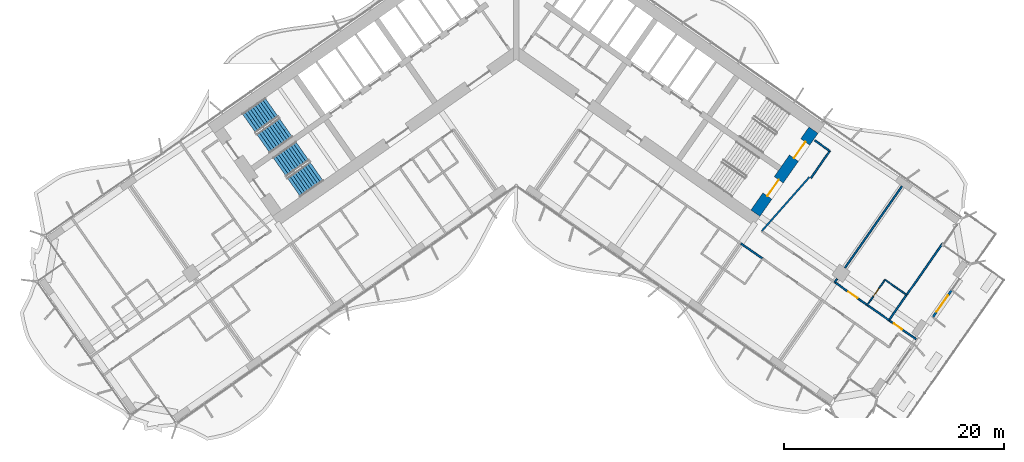
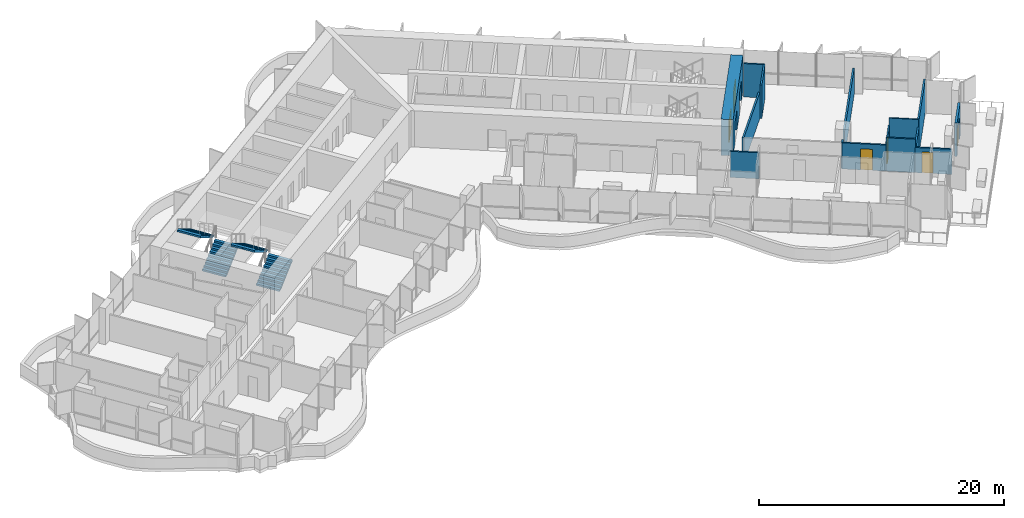
# One storey, part 17 of 25: 15 walls, 6 doors, 4 stair flights, 6 openings, 2 elements without a shape of their own.
"""IFC4 building model written with IfcOpenShell, lengths in metres."""

import ifcopenshell
import ifcopenshell.guid

model = None  # the IFC model being written
_history = None  # IfcOwnerHistory: only IFC2X3 demands one
_inside = {}  # id of a spatial element -> (the spatial element, [elements in it])
_under = {}  # id of a project, library or spatial element -> (it, [spatial elements below it])
_declared = {}  # id of a project -> (the project, [libraries it declares])
_typed = {}  # id of a type object -> (the type object, [elements of that type])
_made_of = {}  # id of a material, layer set ... -> (it, [elements and type objects made of it])


def new_model(schema):
    """Start an empty IFC model of exactly this schema.

    Asked for "IFC4X3", IfcOpenShell would pick the latest addendum, in which some entities
    have other attributes; the version numbers below select the first issue.
    IFC2X3 requires an IfcOwnerHistory on every rooted entity: one is made here for all.
    """
    global model, _history
    if schema == "IFC4X3":
        model = ifcopenshell.file(schema_version=(4, 3, 0, 0))
    else:
        model = ifcopenshell.file(schema=schema)
    _inside.clear()
    _under.clear()
    _declared.clear()
    _typed.clear()
    _made_of.clear()
    _history = None
    if model.schema == "IFC2X3":
        org = make("IfcOrganization", Name="unknown")
        user = make(
            "IfcPersonAndOrganization",
            ThePerson=make("IfcPerson", FamilyName="unknown"),
            TheOrganization=org,
        )
        app = make(
            "IfcApplication",
            ApplicationDeveloper=org,
            Version="unknown",
            ApplicationFullName="unknown",
            ApplicationIdentifier="unknown",
        )
        _history = make(
            "IfcOwnerHistory",
            OwningUser=user,
            OwningApplication=app,
            ChangeAction="ADDED",
            CreationDate=0,
        )
    return model


def make(cls, **values):
    """One entity of the class cls with the attributes given. An attribute that is None is left unset."""
    return model.create_entity(
        cls, **{name: value for name, value in values.items() if value is not None}
    )


def rooted(cls, **values):
    """An entity with a GlobalId (a new one), such as an element, a storey or a relation."""
    return make(cls, GlobalId=ifcopenshell.guid.new(), OwnerHistory=_history, **values)


def si_unit(unit_type, name, prefix=None):
    """IfcSIUnit, for example si_unit("LENGTHUNIT", "METRE", prefix="MILLI")."""
    return make("IfcSIUnit", UnitType=unit_type, Prefix=prefix, Name=name)


def assignment(units):
    """IfcUnitAssignment: the units of a project."""
    return None if units is None else make("IfcUnitAssignment", Units=units)


def point(xyz):
    """IfcCartesianPoint."""
    return None if xyz is None else make("IfcCartesianPoint", Coordinates=xyz)


def direction(xyz):
    """IfcDirection."""
    return None if xyz is None else make("IfcDirection", DirectionRatios=xyz)


def frame(location, z_axis=None, x_axis=None):
    """IfcAxis2Placement3D, a coordinate frame: its origin and axes. An axis left out is left unset."""
    return make(
        "IfcAxis2Placement3D",
        Location=point(location),
        Axis=direction(z_axis),
        RefDirection=direction(x_axis),
    )


def frame_2d(location, x_axis=None):
    """IfcAxis2Placement2D, a coordinate frame in the plane: its origin and x axis."""
    return make(
        "IfcAxis2Placement2D", Location=point(location), RefDirection=direction(x_axis)
    )


def origin():
    """The frame at (0, 0, 0) with its axes left unset."""
    return frame((0.0, 0.0, 0.0))


def place(relative_to, where):
    """IfcLocalPlacement: puts the frame where relative to a parent placement (None: the world)."""
    return make(
        "IfcLocalPlacement", PlacementRelTo=relative_to, RelativePlacement=where
    )


def context(
    kind, dimensions, precision=None, world=None, true_north=None, identifier=None
):
    """IfcGeometricRepresentationContext, for example the 3D "Model" context."""
    return make(
        "IfcGeometricRepresentationContext",
        ContextIdentifier=identifier,
        ContextType=kind,
        CoordinateSpaceDimension=dimensions,
        Precision=precision,
        WorldCoordinateSystem=world,
        TrueNorth=true_north,
    )


def subcontext(parent, identifier, kind, view, scale=None):
    """IfcGeometricRepresentationSubContext, for example "Body" below "Model"."""
    return make(
        "IfcGeometricRepresentationSubContext",
        ContextIdentifier=identifier,
        ContextType=kind,
        ParentContext=parent,
        TargetScale=scale,
        TargetView=view,
    )


def project(units=None, contexts=None):
    """IfcProject with its units and contexts."""
    return rooted(
        "IfcProject",
        Name="project",
        RepresentationContexts=contexts,
        UnitsInContext=assignment(units),
    )


def spatial(cls, under=None, at=None, **own):
    """A site, building, storey or space (cls), placed at a placement, below another one or the project."""
    s = rooted(cls, ObjectPlacement=at, **own)
    if under is not None:
        _under.setdefault(under.id(), (under, []))[1].append(s)
    return s


def polyline(points):
    """IfcPolyline through the points."""
    return make("IfcPolyline", Points=[point(p) for p in points])


def profile(cls, at=None, kind="AREA", **sizes):
    """A parametric profile (cls). Its sizes go by their IFC names, for example OverallWidth=200.0."""
    return make(cls, ProfileType=kind, Position=at, **sizes)


def rectangle(**sizes):
    """IfcRectangleProfileDef."""
    return profile("IfcRectangleProfileDef", **sizes)


def outline(outer, holes=None, kind="AREA"):
    """IfcArbitraryClosedProfileDef: a profile drawn as a closed curve; with holes, ...WithVoids."""
    if holes is None:
        return make("IfcArbitraryClosedProfileDef", ProfileType=kind, OuterCurve=outer)
    return make(
        "IfcArbitraryProfileDefWithVoids",
        ProfileType=kind,
        OuterCurve=outer,
        InnerCurves=holes,
    )


def extrude(swept, where, along, depth):
    """IfcExtrudedAreaSolid: the profile swept, set in the frame where, extruded along a direction by depth."""
    return make(
        "IfcExtrudedAreaSolid",
        SweptArea=swept,
        Position=where,
        ExtrudedDirection=direction(along),
        Depth=depth,
    )


def shape(context_of_items, identifier, shape_type, items):
    """IfcShapeRepresentation: the items that make up one representation, for example the "Body"."""
    return make(
        "IfcShapeRepresentation",
        ContextOfItems=context_of_items,
        RepresentationIdentifier=identifier,
        RepresentationType=shape_type,
        Items=items,
    )


def material(Name=None, Category=None):
    """IfcMaterial."""
    return make("IfcMaterial", Name=Name, Category=Category)


def layer(
    of_material, thickness, ventilated=None, Name=None, Category=None, Priority=None
):
    """IfcMaterialLayer: one layer of a wall or slab, of a material (None: an air gap)."""
    return make(
        "IfcMaterialLayer",
        Material=of_material,
        LayerThickness=thickness,
        IsVentilated=ventilated,
        Name=Name,
        Category=Category,
        Priority=Priority,
    )


def layer_set(layers, Name=None):
    """IfcMaterialLayerSet."""
    return make("IfcMaterialLayerSet", MaterialLayers=layers, LayerSetName=Name)


def made_of(thing, what):
    """Note that an element or type object is made of a material, layer set ...; save() writes the relation."""
    if what is not None:
        _made_of.setdefault(what.id(), (what, []))[1].append(thing)
    return thing


def type_object(cls, material=None, **own):
    """A type object (cls), such as IfcWallType, which elements share."""
    return made_of(rooted(cls, **own), material)


def element(
    cls,
    number,
    at=None,
    inside=None,
    cuts=None,
    type_object=None,
    material=None,
    context=None,
    identifier="Body",
    shape_type=None,
    held_by="IfcProductDefinitionShape",
    body=None,
    shapes=None,
    **own,
):
    """One element of the class cls, such as IfcWall. Its Tag is "e" and its number.

    at: its placement. inside: the storey or other place that contains it. cuts: it is an
    opening in that element (IfcRelVoidsElement). A single representation is given by context,
    identifier, shape_type and body (its items); several are given by shapes. held_by: the class
    of the entity that holds the representations. save() writes the other relations.
    """
    e = rooted(cls, Tag="e%d" % number, ObjectPlacement=at, **own)
    if body is not None:
        shapes = [shape(context, identifier, shape_type, body)]
    if shapes is not None:
        e.Representation = make(held_by, Representations=shapes)
    if inside is not None:
        _inside.setdefault(inside.id(), (inside, []))[1].append(e)
    if cuts is not None:
        rooted(
            "IfcRelVoidsElement", RelatingBuildingElement=cuts, RelatedOpeningElement=e
        )
    if type_object is not None:
        _typed.setdefault(type_object.id(), (type_object, []))[1].append(e)
    return made_of(e, material)


def fill(opening, filler):
    """IfcRelFillsElement: the door or window that sits in an opening."""
    return rooted(
        "IfcRelFillsElement",
        RelatingOpeningElement=opening,
        RelatedBuildingElement=filler,
    )


def aggregate(whole, parts):
    """IfcRelAggregates: a whole, such as a stair, and the parts it consists of."""
    return rooted("IfcRelAggregates", RelatingObject=whole, RelatedObjects=parts)


def save(model, path):
    """Write the relations noted so far, then the file.

    IfcRelAggregates (storeys below a building ...), IfcRelContainedInSpatialStructure (elements
    in a storey), IfcRelDefinesByType, IfcRelAssociatesMaterial and IfcRelDeclares: one each for
    every whole, place, type object, material and project.
    """
    for whole, parts in _under.values():
        aggregate(whole, parts)
    for where, things in _inside.values():
        rooted(
            "IfcRelContainedInSpatialStructure",
            RelatedElements=things,
            RelatingStructure=where,
        )
    for kind, things in _typed.values():
        rooted("IfcRelDefinesByType", RelatedObjects=things, RelatingType=kind)
    for what, things in _made_of.values():
        rooted("IfcRelAssociatesMaterial", RelatedObjects=things, RelatingMaterial=what)
    for by, libraries in _declared.values():
        rooted("IfcRelDeclares", RelatingContext=by, RelatedDefinitions=libraries)
    model.write(path)


model = new_model("IFC4")

# Units and contexts
model_context = context("Model", 3, precision=1e-05, world=origin(), true_north=direction((0.0, 1.0)))
body_context = subcontext(model_context, "Body", "Model", "MODEL_VIEW")
ifc_project = project(units=[si_unit("LENGTHUNIT", "METRE"), si_unit("AREAUNIT", "SQUARE_METRE"), si_unit("VOLUMEUNIT", "CUBIC_METRE"), si_unit("PLANEANGLEUNIT", "RADIAN"), si_unit("MASSUNIT", "GRAM", prefix="KILO")], contexts=[model_context])

# Site, building, storey
site_placement = place(None, origin())
site = spatial("IfcSite", under=ifc_project, at=site_placement, CompositionType="ELEMENT")
building_placement = place(site_placement, origin())
building = spatial("IfcBuilding", under=site, at=building_placement, Name="Tel Ilan Convention Tower", CompositionType="ELEMENT")
storey_placement = place(building_placement, frame((0.0, 0.0, 76.10009765625)))
storey = spatial("IfcBuildingStorey", under=building, at=storey_placement, Name="L14", CompositionType="ELEMENT", Elevation=76.10009765625)

# Wall, openings, doors
ifc_material_1 = material(Name="Concrete C60/75", Category="concrete")
ifc_layer_1 = layer(ifc_material_1, 1.0)
ifc_layer_set_1 = layer_set([ifc_layer_1], Name="Core Shear Wall 1000 mm C60/75")
wall_type_1 = type_object("IfcWallType", Name="Core Shear Wall 1000 mm C60/75", PredefinedType="SHEAR", material=ifc_layer_set_1)
wall_1_placement = place(storey_placement, frame((21.70751953125, -15.19970703125, 0.0), z_axis=(0.0, 0.0, 1.0), x_axis=(0.573576324356, 0.819152122709, 0.0)))
wall_1 = element("IfcWall", 1, at=wall_1_placement, inside=storey, type_object=wall_type_1, Name="L14 core wall E-end", PredefinedType="SHEAR", context=body_context, shape_type="SweptSolid", body=[
    extrude(outline(polyline([(9.199951171875, 0.5), (0.0, 0.5), (0.0, -0.5), (9.199951171875, -0.5), (9.199951171875, 0.5)])), origin(), (0.0, 0.0, 1.0), 3.599853515625),
])
opening_1_placement = place(wall_1_placement, frame((6.10009765625, 0.0, 0.0)))
opening_1 = element("IfcOpeningElement", 2, at=opening_1_placement, cuts=wall_1, Name="Opening SD1403", PredefinedType="OPENING", context=body_context, shape_type="SweptSolid", body=[
    extrude(rectangle(XDim=1.800048828125, YDim=2.10009765625, at=frame_2d((0.89990234375, 1.050048828125))), frame((0.0, 0.510009765625, 0.0), z_axis=(0.0, -1.0, 0.0), x_axis=(1.0, 0.0, 0.0)), (0.0, 0.0, 1.0), 1.02001953125),
])
opening_2_placement = place(wall_1_placement, frame((1.89990234375, 0.0, 0.0)))
opening_2 = element("IfcOpeningElement", 3, at=opening_2_placement, cuts=wall_1, Name="Opening SD1404", PredefinedType="OPENING", context=body_context, shape_type="SweptSolid", body=[
    extrude(rectangle(XDim=1.800048828125, YDim=2.10009765625, at=frame_2d((0.89990234375, 1.050048828125))), frame((0.0, 0.510009765625, 0.0), z_axis=(0.0, -1.0, 0.0), x_axis=(1.0, 0.0, 0.0)), (0.0, 0.0, 1.0), 1.02001953125),
])
ifc_material_2 = material(Name="Galvanised Steel Door Leaf", Category="steel")
door_type_1 = type_object("IfcDoorType", Name="Stair Fire Door 1800 x 2100 FD60S", OperationType="NOTDEFINED", PredefinedType="DOOR", material=ifc_material_2)
door_1_placement = place(opening_1_placement, origin())
door_1 = element("IfcDoor", 4, at=door_1_placement, inside=storey, type_object=door_type_1, Name="Stair S3 door", OperationType="DOUBLE_DOOR_SINGLE_SWING", OverallHeight=2.10009765625, OverallWidth=1.800048828125, PredefinedType="DOOR", context=body_context, shape_type="SweptSolid", body=[
    extrude(rectangle(XDim=1.800048828125, YDim=2.10009765625, at=frame_2d((0.89990234375, 1.050048828125))), frame((0.0, 0.02490234375, 0.0), z_axis=(0.0, -1.0, 0.0), x_axis=(1.0, 0.0, 0.0)), (0.0, 0.0, 1.0), 0.050048828125),
])
fill(opening_1, door_1)
door_2_placement = place(opening_2_placement, origin())
door_2 = element("IfcDoor", 5, at=door_2_placement, inside=storey, type_object=door_type_1, Name="Stair S4 door", OperationType="DOUBLE_DOOR_SINGLE_SWING", OverallHeight=2.10009765625, OverallWidth=1.800048828125, PredefinedType="DOOR", context=body_context, shape_type="SweptSolid", body=[
    extrude(rectangle(XDim=1.800048828125, YDim=2.10009765625, at=frame_2d((0.89990234375, 1.050048828125))), frame((0.0, 0.02490234375, 0.0), z_axis=(0.0, -1.0, 0.0), x_axis=(1.0, 0.0, 0.0)), (0.0, 0.0, 1.0), 0.050048828125),
])
fill(opening_2, door_2)

# Wall, opening, door
ifc_material_3 = material(Name="Plasterboard on Steel Studs", Category="steel")
ifc_layer_2 = layer(ifc_material_3, 0.14990234375)
ifc_layer_set_2 = layer_set([ifc_layer_2], Name="Fire-rated Partition 150 EI 60")
wall_type_2 = type_object("IfcWallType", Name="Fire-rated Partition 150 EI 60", PredefinedType="PARTITIONING", material=ifc_layer_set_2)
wall_2_placement = place(storey_placement, frame((28.914306640625, -21.466796875, 0.0), z_axis=(0.0, 0.0, 1.0), x_axis=(0.819145961204, -0.573585123798, 0.0)))
wall_2 = element("IfcWall", 6, at=wall_2_placement, inside=storey, type_object=wall_type_2, Name="Partition 002", PredefinedType="PARTITIONING", context=body_context, shape_type="SweptSolid", body=[
    extrude(rectangle(XDim=3.60302734375, YDim=0.14990234375, at=frame_2d((1.801513671875, 0.0))), origin(), (0.0, 0.0, 1.0), 2.599853515625),
])
opening_3_placement = place(wall_2_placement, frame((1.501953125, 0.0, 0.0)))
opening_3 = element("IfcOpeningElement", 7, at=opening_3_placement, cuts=wall_2, Name="Opening L14-034", PredefinedType="OPENING", context=body_context, shape_type="SweptSolid", body=[
    extrude(rectangle(XDim=1.0, YDim=2.10009765625, at=frame_2d((0.5, 1.050048828125))), frame((0.0, 0.0849609375, 0.0), z_axis=(0.0, -1.0, 0.0), x_axis=(1.0, 0.0, 0.0)), (0.0, 0.0, 1.0), 0.169921875),
])
ifc_material_4 = material(Name="Timber Door Leaf in Steel Frame", Category="steel")
door_type_2 = type_object("IfcDoorType", Name="Hotel Room Entrance Fire Door 1000x2100", OperationType="NOTDEFINED", PredefinedType="DOOR", material=ifc_material_4)
door_3_placement = place(opening_3_placement, origin())
door_3 = element("IfcDoor", 8, at=door_3_placement, inside=storey, type_object=door_type_2, Name="Door L14-034", OperationType="SINGLE_SWING_RIGHT", OverallHeight=2.10009765625, OverallWidth=1.0, PredefinedType="DOOR", context=body_context, shape_type="SweptSolid", body=[
    extrude(rectangle(XDim=1.0, YDim=2.10009765625, at=frame_2d((0.5, 1.050048828125))), frame((0.0, 0.02490234375, 0.0), z_axis=(0.0, -1.0, 0.0), x_axis=(1.0, 0.0, 0.0)), (0.0, 0.0, 1.0), 0.050048828125),
])
fill(opening_3, door_3)

# Wall
wall_3_placement = place(storey_placement, frame((31.86328125, -23.531494140625, 0.0), z_axis=(0.0, 0.0, 1.0), x_axis=(0.819146032251, -0.573585022335, 0.0)))
element("IfcWall", 9, at=wall_3_placement, inside=storey, type_object=wall_type_2, Name="Partition 003", PredefinedType="PARTITIONING", context=body_context, shape_type="SweptSolid", body=[
    extrude(rectangle(XDim=2.404052734375, YDim=0.14990234375, at=frame_2d((1.2021484375, 0.0))), origin(), (0.0, 0.0, 1.0), 3.31982421875),
])

# Wall, opening, door
wall_4_placement = place(storey_placement, frame((33.8291015625, -24.908203125, 0.0), z_axis=(0.0, 0.0, 1.0), x_axis=(0.81915932427, -0.57356603932, 0.0)))
wall_4 = element("IfcWall", 10, at=wall_4_placement, inside=storey, type_object=wall_type_2, Name="Partition 004", PredefinedType="PARTITIONING", context=body_context, shape_type="SweptSolid", body=[
    extrude(rectangle(XDim=3.002197265625, YDim=0.14990234375, at=frame_2d((1.5009765625, 0.0))), origin(), (0.0, 0.0, 1.0), 2.5),
])
opening_4_placement = place(wall_4_placement, frame((0.551025390625, 0.0, 0.0)))
opening_4 = element("IfcOpeningElement", 11, at=opening_4_placement, cuts=wall_4, Name="Opening L14-035", PredefinedType="OPENING", context=body_context, shape_type="SweptSolid", body=[
    extrude(rectangle(XDim=0.89990234375, YDim=2.10009765625, at=frame_2d((0.449951171875, 1.050048828125))), frame((0.0, 0.0849609375, 0.0), z_axis=(0.0, -1.0, 0.0), x_axis=(1.0, 0.0, 0.0)), (0.0, 0.0, 1.0), 0.169921875),
])
ifc_material_5 = material(Name="Timber Door Leaf in Steel Frame", Category="steel")
door_type_3 = type_object("IfcDoorType", Name="Room Fire Door 900x2100", OperationType="NOTDEFINED", PredefinedType="DOOR", material=ifc_material_5)
door_4_placement = place(opening_4_placement, origin())
door_4 = element("IfcDoor", 12, at=door_4_placement, inside=storey, type_object=door_type_3, Name="Door L14-035", OperationType="SINGLE_SWING_LEFT", OverallHeight=2.10009765625, OverallWidth=0.89990234375, PredefinedType="DOOR", context=body_context, shape_type="SweptSolid", body=[
    extrude(rectangle(XDim=0.89990234375, YDim=2.10009765625, at=frame_2d((0.449951171875, 1.050048828125))), frame((0.0, 0.02490234375, 0.0), z_axis=(0.0, -1.0, 0.0), x_axis=(1.0, 0.0, 0.0)), (0.0, 0.0, 1.0), 0.050048828125),
])
fill(opening_4, door_4)

# Walls
wall_5_placement = place(storey_placement, frame((22.364013671875, -19.32177734375, 0.0), z_axis=(0.0, 0.0, 1.0), x_axis=(-0.819146032251, 0.573585022335, 0.0)))
element("IfcWall", 13, at=wall_5_placement, inside=storey, type_object=wall_type_2, Name="Partition 012", PredefinedType="PARTITIONING", context=body_context, shape_type="SweptSolid", body=[
    extrude(rectangle(XDim=2.404052734375, YDim=0.14990234375, at=frame_2d((1.2021484375, 0.0))), origin(), (0.0, 0.0, 1.0), 2.599853515625),
])
wall_6_placement = place(storey_placement, frame((35.012939453125, -12.76025390625, 0.0), z_axis=(0.0, 0.0, 1.0), x_axis=(-0.573558725113, -0.819164445546, 0.0)))
element("IfcWall", 14, at=wall_6_placement, inside=storey, type_object=wall_type_2, Name="Partition 038", PredefinedType="PARTITIONING", context=body_context, shape_type="SweptSolid", body=[
    extrude(rectangle(XDim=9.010009765625, YDim=0.14990234375, at=frame_2d((4.5048828125, 0.0))), origin(), (0.0, 0.0, 1.0), 2.599853515625),
])
wall_7_placement = place(storey_placement, frame((29.1337890625, -21.156494140625, 0.0), z_axis=(0.0, 0.0, 1.0), x_axis=(-0.572944929411, -0.819593867633, 0.0)))
element("IfcWall", 15, at=wall_7_placement, inside=storey, type_object=wall_type_2, Name="Partition 039", PredefinedType="PARTITIONING", context=body_context, shape_type="SweptSolid", body=[
    extrude(rectangle(XDim=0.380126953125, YDim=0.14990234375, at=frame_2d((0.18994140625, 0.0))), origin(), (0.0, 0.0, 1.0), 2.599853515625),
])
wall_8_placement = place(storey_placement, frame((22.285400390625, -16.8251953125, 0.0), z_axis=(0.0, 0.0, 1.0), x_axis=(0.661551268245, 0.749899939647, 0.0)))
element("IfcWall", 16, at=wall_8_placement, inside=storey, type_object=wall_type_2, Name="Partition 040", PredefinedType="PARTITIONING", context=body_context, shape_type="SweptSolid", body=[
    extrude(rectangle(XDim=6.541015625, YDim=0.14990234375, at=frame_2d((3.2705078125, 0.0))), origin(), (0.0, 0.0, 1.0), 2.599853515625),
])
wall_9_placement = place(storey_placement, frame((26.74609375, -12.013671875, 0.0), z_axis=(0.0, 0.0, 1.0), x_axis=(0.573560650686, 0.819163097304, 0.0)))
element("IfcWall", 17, at=wall_9_placement, inside=storey, type_object=wall_type_2, Name="Partition 041", PredefinedType="PARTITIONING", context=body_context, shape_type="SweptSolid", body=[
    extrude(rectangle(XDim=3.0, YDim=0.14990234375, at=frame_2d((1.5, 0.0))), origin(), (0.0, 0.0, 1.0), 3.31982421875),
])
wall_10_placement = place(storey_placement, frame((28.466796875, -9.55615234375, 0.0), z_axis=(0.0, 0.0, 1.0), x_axis=(-0.819109000826, 0.573637903879, 0.0)))
element("IfcWall", 18, at=wall_10_placement, inside=storey, type_object=wall_type_2, Name="Partition 042", PredefinedType="PARTITIONING", context=body_context, shape_type="SweptSolid", body=[
    extrude(rectangle(XDim=1.679931640625, YDim=0.14990234375, at=frame_2d((0.83984375, 0.0))), origin(), (0.0, 0.0, 1.0), 3.31982421875),
])
wall_11_placement = place(storey_placement, frame((38.70751953125, -17.94482421875, 0.0), z_axis=(0.0, 0.0, 1.0), x_axis=(-0.573568678046, -0.819157476658, 0.0)))
element("IfcWall", 19, at=wall_11_placement, inside=storey, type_object=wall_type_2, Name="Partition 045", PredefinedType="PARTITIONING", context=body_context, shape_type="SweptSolid", body=[
    extrude(rectangle(XDim=5.701171875, YDim=0.14990234375, at=frame_2d((2.8505859375, 0.0))), origin(), (0.0, 0.0, 1.0), 3.31982421875),
])
wall_12_placement = place(storey_placement, frame((35.436767578125, -22.61572265625, 0.0), z_axis=(0.0, 0.0, 1.0), x_axis=(-0.573550118428, -0.819170471667, 0.0)))
element("IfcWall", 20, at=wall_12_placement, inside=storey, type_object=wall_type_2, Name="Partition 046", PredefinedType="PARTITIONING", context=body_context, shape_type="SweptSolid", body=[
    extrude(rectangle(XDim=2.800048828125, YDim=0.14990234375, at=frame_2d((1.39990234375, 0.0))), origin(), (0.0, 0.0, 1.0), 2.599853515625),
])
ifc_material_6 = material(Name="Plasterboard on Steel Studs", Category="steel")
ifc_layer_3 = layer(ifc_material_6, 0.1201171875)
ifc_layer_set_3 = layer_set([ifc_layer_3], Name="Moisture-resistant Partition 120")
wall_type_3 = type_object("IfcWallType", Name="Moisture-resistant Partition 120", PredefinedType="PARTITIONING", material=ifc_layer_set_3)
wall_13_placement = place(storey_placement, frame((35.4375, -22.614990234375, 0.0), z_axis=(0.0, 0.0, 1.0), x_axis=(-0.819141114317, 0.573592045652, 0.0)))
element("IfcWall", 21, at=wall_13_placement, inside=storey, type_object=wall_type_3, Name="Partition 043", PredefinedType="PARTITIONING", context=body_context, shape_type="SweptSolid", body=[
    extrude(rectangle(XDim=2.400146484375, YDim=0.1201171875, at=frame_2d((1.2001953125, 0.0))), origin(), (0.0, 0.0, 1.0), 3.31982421875),
])

# Wall, opening, door
wall_14_placement = place(storey_placement, frame((33.469970703125, -21.238525390625, 0.0), z_axis=(0.0, 0.0, 1.0), x_axis=(-0.573550118428, -0.819170471667, 0.0)))
wall_14 = element("IfcWall", 22, at=wall_14_placement, inside=storey, type_object=wall_type_3, Name="Partition 044", PredefinedType="PARTITIONING", context=body_context, shape_type="SweptSolid", body=[
    extrude(rectangle(XDim=2.800048828125, YDim=0.1201171875, at=frame_2d((1.39990234375, 0.0))), origin(), (0.0, 0.0, 1.0), 2.599853515625),
])
opening_5_placement = place(wall_14_placement, frame((0.97509765625, 0.0, 0.0)))
opening_5 = element("IfcOpeningElement", 23, at=opening_5_placement, cuts=wall_14, Name="Opening L14-033", PredefinedType="OPENING", context=body_context, shape_type="SweptSolid", body=[
    extrude(rectangle(XDim=0.85009765625, YDim=2.050048828125, at=frame_2d((0.425048828125, 1.02490234375))), frame((0.0, 0.070068359375, 0.0), z_axis=(0.0, -1.0, 0.0), x_axis=(1.0, 0.0, 0.0)), (0.0, 0.0, 1.0), 0.14013671875),
])
ifc_material_7 = material(Name="Timber Door Leaf in Steel Frame", Category="steel")
door_type_4 = type_object("IfcDoorType", Name="Bathroom Timber Door 850x2050", OperationType="NOTDEFINED", PredefinedType="DOOR", material=ifc_material_7)
door_5_placement = place(opening_5_placement, origin())
door_5 = element("IfcDoor", 24, at=door_5_placement, inside=storey, type_object=door_type_4, Name="Door L14-033", OperationType="SINGLE_SWING_LEFT", OverallHeight=2.050048828125, OverallWidth=0.85009765625, PredefinedType="DOOR", context=body_context, shape_type="SweptSolid", body=[
    extrude(rectangle(XDim=0.85009765625, YDim=2.050048828125, at=frame_2d((0.425048828125, 1.02490234375))), frame((0.0, 0.02490234375, 0.0), z_axis=(0.0, -1.0, 0.0), x_axis=(1.0, 0.0, 0.0)), (0.0, 0.0, 1.0), 0.050048828125),
])
fill(opening_5, door_5)

ifc_material_8 = material(Name="Aluminium composite cladding, bronze anodised on steel studs", Category="steel")
ifc_layer_4 = layer(ifc_material_8, 0.199951171875)
ifc_layer_set_4 = layer_set([ifc_layer_4], Name="TERRACE DOOR BAY WALL 200")
wall_type_4 = type_object("IfcWallType", Name="TERRACE DOOR BAY WALL 200", PredefinedType="SOLIDWALL", material=ifc_layer_set_4)
wall_15_placement = place(storey_placement, frame((37.8212890625, -24.614990234375, 0.0), z_axis=(0.0, 0.0, 1.0), x_axis=(0.573584953252, 0.819146080625, 0.0)))
wall_15 = element("IfcWall", 25, at=wall_15_placement, inside=storey, type_object=wall_type_4, Name="Terrace door bay", PredefinedType="SOLIDWALL", context=body_context, shape_type="SweptSolid", body=[
    extrude(rectangle(XDim=2.93994140625, YDim=0.199951171875, at=frame_2d((1.469970703125, 0.0))), origin(), (0.0, 0.0, 1.0), 3.31982421875),
])
opening_6_placement = place(wall_15_placement, frame((0.570068359375, 0.0, 0.0)))
opening_6 = element("IfcOpeningElement", 26, at=opening_6_placement, cuts=wall_15, Name="Opening T14.02", PredefinedType="OPENING", context=body_context, shape_type="SweptSolid", body=[
    extrude(rectangle(XDim=1.800048828125, YDim=2.39990234375, at=frame_2d((0.89990234375, 1.199951171875))), frame((0.0, 0.10986328125, 0.0), z_axis=(0.0, -1.0, 0.0), x_axis=(1.0, 0.0, 0.0)), (0.0, 0.0, 1.0), 0.219970703125),
])
ifc_material_9 = material(Name="Aluminium framed glazed door, bronze anodised", Category="aluminium")
door_type_5 = type_object("IfcDoorType", Name="TERRACE DOUBLE DOOR 1800x2400", OperationType="NOTDEFINED", PredefinedType="DOOR", material=ifc_material_9)
door_6_placement = place(opening_6_placement, origin())
door_6 = element("IfcDoor", 27, at=door_6_placement, inside=storey, type_object=door_type_5, Name="Terrace door", OperationType="DOUBLE_DOOR_DOUBLE_SWING", OverallHeight=2.39990234375, OverallWidth=1.800048828125, PredefinedType="DOOR", context=body_context, shape_type="SweptSolid", body=[
    extrude(rectangle(XDim=1.800048828125, YDim=2.39990234375, at=frame_2d((0.89990234375, 1.199951171875))), frame((0.0, 0.02490234375, 0.0), z_axis=(0.0, -1.0, 0.0), x_axis=(1.0, 0.0, 0.0)), (0.0, 0.0, 1.0), 0.050048828125),
])
fill(opening_6, door_6)

# Stair, stair flights
ifc_material_10 = material(Name="Concrete C40/50", Category="concrete")
stair_type = type_object("IfcStairType", Name="Pressurised Exit Stair 20 risers 180 mm", PredefinedType="HALF_TURN_STAIR", material=ifc_material_10)
stair_1_placement = place(storey_placement, origin())
stair_1 = element("IfcStair", 28, at=stair_1_placement, inside=storey, type_object=stair_type, Name="L14 Pressurised Stair S1", PredefinedType="HALF_TURN_STAIR")
ifc_material_11 = material(Name="Precast Concrete C40/50", Category="concrete")
stair_flight_type = type_object("IfcStairFlightType", Name="Concrete Stair Flight 2100 mm 20 risers 180 mm", PredefinedType="STRAIGHT", material=ifc_material_11)
stair_flight_1_placement = place(storey_placement, frame((-22.9619140625, -8.87548828125, 0.0), z_axis=(0.0, 0.0, 1.0), x_axis=(0.819152044289, 0.573576436351, 0.0)))
stair_flight_1 = element("IfcStairFlight", 29, at=stair_flight_1_placement, type_object=stair_flight_type, Name="S1 flight 1", NumberOfRisers=10, NumberOfTreads=9, PredefinedType="STRAIGHT", RiserHeight=0.18, TreadLength=0.28, context=body_context, shape_type="SweptSolid", body=[
    extrude(outline(polyline([(0.0, 0.0), (0.0, 0.179931640625), (0.280029296875, 0.179931640625), (0.280029296875, 0.360107421875), (0.56005859375, 0.360107421875), (0.56005859375, 0.5400390625), (0.840087890625, 0.5400390625), (0.840087890625, 0.719970703125), (1.1201171875, 0.719970703125), (1.1201171875, 0.89990234375), (1.39990234375, 0.89990234375), (1.39990234375, 1.080078125), (1.679931640625, 1.080078125), (1.679931640625, 1.260009765625), (1.9599609375, 1.260009765625), (1.9599609375, 1.43994140625), (2.239990234375, 1.43994140625), (2.239990234375, 1.6201171875), (2.52001953125, 1.6201171875), (2.52001953125, 1.800048828125), (2.52001953125, 1.44189453125), (0.277099609375, 0.0), (0.0, 0.0)])), frame((0.0, -0.100341796875, 0.0), z_axis=(0.0, -1.0, 0.0), x_axis=(1.0, 0.0, 0.0)), (0.0, 0.0, 1.0), 0.94970703125),
    extrude(outline(polyline([(0.0, 0.0), (0.0, 0.179931640625), (0.280029296875, 0.179931640625), (0.280029296875, 0.360107421875), (0.56005859375, 0.360107421875), (0.56005859375, 0.5400390625), (0.840087890625, 0.5400390625), (0.840087890625, 0.719970703125), (1.1201171875, 0.719970703125), (1.1201171875, 0.89990234375), (1.39990234375, 0.89990234375), (1.39990234375, 1.080078125), (1.679931640625, 1.080078125), (1.679931640625, 1.260009765625), (1.9599609375, 1.260009765625), (1.9599609375, 1.43994140625), (2.239990234375, 1.43994140625), (2.239990234375, 1.6201171875), (2.52001953125, 1.6201171875), (2.52001953125, 1.800048828125), (2.52001953125, 1.44189453125), (0.277099609375, 0.0), (0.0, 0.0)])), frame((0.0, -0.000244140625, 0.0), z_axis=(0.0, -1.0, 0.0), x_axis=(1.0, 0.0, 0.0)), (0.0, 0.0, 1.0), 0.099609375),
    extrude(outline(polyline([(0.0, 0.0), (0.0, 0.179931640625), (0.280029296875, 0.179931640625), (0.280029296875, 0.360107421875), (0.56005859375, 0.360107421875), (0.56005859375, 0.5400390625), (0.840087890625, 0.5400390625), (0.840087890625, 0.719970703125), (1.1201171875, 0.719970703125), (1.1201171875, 0.89990234375), (1.39990234375, 0.89990234375), (1.39990234375, 1.080078125), (1.679931640625, 1.080078125), (1.679931640625, 1.260009765625), (1.9599609375, 1.260009765625), (1.9599609375, 1.43994140625), (2.239990234375, 1.43994140625), (2.239990234375, 1.6201171875), (2.52001953125, 1.6201171875), (2.52001953125, 1.800048828125), (2.52001953125, 1.44189453125), (0.277099609375, 0.0), (0.0, 0.0)])), frame((0.0, 0.099853515625, 0.0), z_axis=(0.0, -1.0, 0.0), x_axis=(1.0, 0.0, 0.0)), (0.0, 0.0, 1.0), 0.099609375),
    extrude(outline(polyline([(0.0, 0.0), (0.0, 0.179931640625), (0.280029296875, 0.179931640625), (0.280029296875, 0.360107421875), (0.56005859375, 0.360107421875), (0.56005859375, 0.5400390625), (0.840087890625, 0.5400390625), (0.840087890625, 0.719970703125), (1.1201171875, 0.719970703125), (1.1201171875, 0.89990234375), (1.39990234375, 0.89990234375), (1.39990234375, 1.080078125), (1.679931640625, 1.080078125), (1.679931640625, 1.260009765625), (1.9599609375, 1.260009765625), (1.9599609375, 1.43994140625), (2.239990234375, 1.43994140625), (2.239990234375, 1.6201171875), (2.52001953125, 1.6201171875), (2.52001953125, 1.800048828125), (2.52001953125, 1.44189453125), (0.277099609375, 0.0), (0.0, 0.0)])), frame((0.0, 1.050048828125, 0.0), z_axis=(0.0, -1.0, 0.0), x_axis=(1.0, 0.0, 0.0)), (0.0, 0.0, 1.0), 0.94970703125),
])
stair_flight_2_placement = place(storey_placement, frame((-22.188232421875, -5.5869140625, 1.7998046875), z_axis=(0.0, 0.0, 1.0), x_axis=(-0.819152044289, -0.573576436351, 0.0)))
stair_flight_2 = element("IfcStairFlight", 30, at=stair_flight_2_placement, type_object=stair_flight_type, Name="S1 flight 2", NumberOfRisers=10, NumberOfTreads=9, PredefinedType="STRAIGHT", RiserHeight=0.18, TreadLength=0.28, context=body_context, shape_type="SweptSolid", body=[
    extrude(outline(polyline([(0.0, 0.0), (0.0, 0.179931640625), (0.280029296875, 0.179931640625), (0.280029296875, 0.360107421875), (0.56005859375, 0.360107421875), (0.56005859375, 0.5400390625), (0.840087890625, 0.5400390625), (0.840087890625, 0.719970703125), (1.1201171875, 0.719970703125), (1.1201171875, 0.89990234375), (1.39990234375, 0.89990234375), (1.39990234375, 1.080078125), (1.679931640625, 1.080078125), (1.679931640625, 1.260009765625), (1.9599609375, 1.260009765625), (1.9599609375, 1.43994140625), (2.239990234375, 1.43994140625), (2.239990234375, 1.6201171875), (2.52001953125, 1.6201171875), (2.52001953125, 1.800048828125), (2.52001953125, 1.44189453125), (0.277099609375, 0.0), (0.0, 0.0)])), frame((0.0, -0.100341796875, 0.0), z_axis=(0.0, -1.0, 0.0), x_axis=(1.0, 0.0, 0.0)), (0.0, 0.0, 1.0), 0.94970703125),
    extrude(outline(polyline([(0.0, 0.0), (0.0, 0.179931640625), (0.280029296875, 0.179931640625), (0.280029296875, 0.360107421875), (0.56005859375, 0.360107421875), (0.56005859375, 0.5400390625), (0.840087890625, 0.5400390625), (0.840087890625, 0.719970703125), (1.1201171875, 0.719970703125), (1.1201171875, 0.89990234375), (1.39990234375, 0.89990234375), (1.39990234375, 1.080078125), (1.679931640625, 1.080078125), (1.679931640625, 1.260009765625), (1.9599609375, 1.260009765625), (1.9599609375, 1.43994140625), (2.239990234375, 1.43994140625), (2.239990234375, 1.6201171875), (2.52001953125, 1.6201171875), (2.52001953125, 1.800048828125), (2.52001953125, 1.44189453125), (0.277099609375, 0.0), (0.0, 0.0)])), frame((0.0, -0.000244140625, 0.0), z_axis=(0.0, -1.0, 0.0), x_axis=(1.0, 0.0, 0.0)), (0.0, 0.0, 1.0), 0.099609375),
    extrude(outline(polyline([(0.0, 0.0), (0.0, 0.179931640625), (0.280029296875, 0.179931640625), (0.280029296875, 0.360107421875), (0.56005859375, 0.360107421875), (0.56005859375, 0.5400390625), (0.840087890625, 0.5400390625), (0.840087890625, 0.719970703125), (1.1201171875, 0.719970703125), (1.1201171875, 0.89990234375), (1.39990234375, 0.89990234375), (1.39990234375, 1.080078125), (1.679931640625, 1.080078125), (1.679931640625, 1.260009765625), (1.9599609375, 1.260009765625), (1.9599609375, 1.43994140625), (2.239990234375, 1.43994140625), (2.239990234375, 1.6201171875), (2.52001953125, 1.6201171875), (2.52001953125, 1.800048828125), (2.52001953125, 1.44189453125), (0.277099609375, 0.0), (0.0, 0.0)])), frame((0.0, 0.099853515625, 0.0), z_axis=(0.0, -1.0, 0.0), x_axis=(1.0, 0.0, 0.0)), (0.0, 0.0, 1.0), 0.099609375),
    extrude(outline(polyline([(0.0, 0.0), (0.0, 0.179931640625), (0.280029296875, 0.179931640625), (0.280029296875, 0.360107421875), (0.56005859375, 0.360107421875), (0.56005859375, 0.5400390625), (0.840087890625, 0.5400390625), (0.840087890625, 0.719970703125), (1.1201171875, 0.719970703125), (1.1201171875, 0.89990234375), (1.39990234375, 0.89990234375), (1.39990234375, 1.080078125), (1.679931640625, 1.080078125), (1.679931640625, 1.260009765625), (1.9599609375, 1.260009765625), (1.9599609375, 1.43994140625), (2.239990234375, 1.43994140625), (2.239990234375, 1.6201171875), (2.52001953125, 1.6201171875), (2.52001953125, 1.800048828125), (2.52001953125, 1.44189453125), (0.277099609375, 0.0), (0.0, 0.0)])), frame((0.0, 1.050048828125, 0.0), z_axis=(0.0, -1.0, 0.0), x_axis=(1.0, 0.0, 0.0)), (0.0, 0.0, 1.0), 0.94970703125),
])
aggregate(stair_1, [stair_flight_1, stair_flight_2])

stair_2_placement = place(storey_placement, origin())
stair_2 = element("IfcStair", 31, at=stair_2_placement, inside=storey, type_object=stair_type, Name="L14 Pressurised Stair S2", PredefinedType="HALF_TURN_STAIR")
stair_flight_3_placement = place(storey_placement, frame((-20.179931640625, -12.848388671875, 0.0), z_axis=(0.0, 0.0, 1.0), x_axis=(0.819152044289, 0.573576436351, 0.0)))
stair_flight_3 = element("IfcStairFlight", 32, at=stair_flight_3_placement, type_object=stair_flight_type, Name="S2 flight 1", NumberOfRisers=10, NumberOfTreads=9, PredefinedType="STRAIGHT", RiserHeight=0.18, TreadLength=0.28, context=body_context, shape_type="SweptSolid", body=[
    extrude(outline(polyline([(0.0, 0.0), (0.0, 0.179931640625), (0.280029296875, 0.179931640625), (0.280029296875, 0.360107421875), (0.56005859375, 0.360107421875), (0.56005859375, 0.5400390625), (0.840087890625, 0.5400390625), (0.840087890625, 0.719970703125), (1.1201171875, 0.719970703125), (1.1201171875, 0.89990234375), (1.39990234375, 0.89990234375), (1.39990234375, 1.080078125), (1.679931640625, 1.080078125), (1.679931640625, 1.260009765625), (1.9599609375, 1.260009765625), (1.9599609375, 1.43994140625), (2.239990234375, 1.43994140625), (2.239990234375, 1.6201171875), (2.52001953125, 1.6201171875), (2.52001953125, 1.800048828125), (2.52001953125, 1.44189453125), (0.277099609375, 0.0), (0.0, 0.0)])), frame((0.0, -0.100341796875, 0.0), z_axis=(0.0, -1.0, 0.0), x_axis=(1.0, 0.0, 0.0)), (0.0, 0.0, 1.0), 0.94970703125),
    extrude(outline(polyline([(0.0, 0.0), (0.0, 0.179931640625), (0.280029296875, 0.179931640625), (0.280029296875, 0.360107421875), (0.56005859375, 0.360107421875), (0.56005859375, 0.5400390625), (0.840087890625, 0.5400390625), (0.840087890625, 0.719970703125), (1.1201171875, 0.719970703125), (1.1201171875, 0.89990234375), (1.39990234375, 0.89990234375), (1.39990234375, 1.080078125), (1.679931640625, 1.080078125), (1.679931640625, 1.260009765625), (1.9599609375, 1.260009765625), (1.9599609375, 1.43994140625), (2.239990234375, 1.43994140625), (2.239990234375, 1.6201171875), (2.52001953125, 1.6201171875), (2.52001953125, 1.800048828125), (2.52001953125, 1.44189453125), (0.277099609375, 0.0), (0.0, 0.0)])), frame((0.0, -0.000244140625, 0.0), z_axis=(0.0, -1.0, 0.0), x_axis=(1.0, 0.0, 0.0)), (0.0, 0.0, 1.0), 0.099609375),
    extrude(outline(polyline([(0.0, 0.0), (0.0, 0.179931640625), (0.280029296875, 0.179931640625), (0.280029296875, 0.360107421875), (0.56005859375, 0.360107421875), (0.56005859375, 0.5400390625), (0.840087890625, 0.5400390625), (0.840087890625, 0.719970703125), (1.1201171875, 0.719970703125), (1.1201171875, 0.89990234375), (1.39990234375, 0.89990234375), (1.39990234375, 1.080078125), (1.679931640625, 1.080078125), (1.679931640625, 1.260009765625), (1.9599609375, 1.260009765625), (1.9599609375, 1.43994140625), (2.239990234375, 1.43994140625), (2.239990234375, 1.6201171875), (2.52001953125, 1.6201171875), (2.52001953125, 1.800048828125), (2.52001953125, 1.44189453125), (0.277099609375, 0.0), (0.0, 0.0)])), frame((0.0, 0.099853515625, 0.0), z_axis=(0.0, -1.0, 0.0), x_axis=(1.0, 0.0, 0.0)), (0.0, 0.0, 1.0), 0.099609375),
    extrude(outline(polyline([(0.0, 0.0), (0.0, 0.179931640625), (0.280029296875, 0.179931640625), (0.280029296875, 0.360107421875), (0.56005859375, 0.360107421875), (0.56005859375, 0.5400390625), (0.840087890625, 0.5400390625), (0.840087890625, 0.719970703125), (1.1201171875, 0.719970703125), (1.1201171875, 0.89990234375), (1.39990234375, 0.89990234375), (1.39990234375, 1.080078125), (1.679931640625, 1.080078125), (1.679931640625, 1.260009765625), (1.9599609375, 1.260009765625), (1.9599609375, 1.43994140625), (2.239990234375, 1.43994140625), (2.239990234375, 1.6201171875), (2.52001953125, 1.6201171875), (2.52001953125, 1.800048828125), (2.52001953125, 1.44189453125), (0.277099609375, 0.0), (0.0, 0.0)])), frame((0.0, 1.050048828125, 0.0), z_axis=(0.0, -1.0, 0.0), x_axis=(1.0, 0.0, 0.0)), (0.0, 0.0, 1.0), 0.94970703125),
])
stair_flight_4_placement = place(storey_placement, frame((-19.40625, -9.559814453125, 1.7998046875), z_axis=(0.0, 0.0, 1.0), x_axis=(-0.819152044289, -0.573576436351, 0.0)))
stair_flight_4 = element("IfcStairFlight", 33, at=stair_flight_4_placement, type_object=stair_flight_type, Name="S2 flight 2", NumberOfRisers=10, NumberOfTreads=9, PredefinedType="STRAIGHT", RiserHeight=0.18, TreadLength=0.28, context=body_context, shape_type="SweptSolid", body=[
    extrude(outline(polyline([(0.0, 0.0), (0.0, 0.179931640625), (0.280029296875, 0.179931640625), (0.280029296875, 0.360107421875), (0.56005859375, 0.360107421875), (0.56005859375, 0.5400390625), (0.840087890625, 0.5400390625), (0.840087890625, 0.719970703125), (1.1201171875, 0.719970703125), (1.1201171875, 0.89990234375), (1.39990234375, 0.89990234375), (1.39990234375, 1.080078125), (1.679931640625, 1.080078125), (1.679931640625, 1.260009765625), (1.9599609375, 1.260009765625), (1.9599609375, 1.43994140625), (2.239990234375, 1.43994140625), (2.239990234375, 1.6201171875), (2.52001953125, 1.6201171875), (2.52001953125, 1.800048828125), (2.52001953125, 1.44189453125), (0.277099609375, 0.0), (0.0, 0.0)])), frame((0.0, -0.100341796875, 0.0), z_axis=(0.0, -1.0, 0.0), x_axis=(1.0, 0.0, 0.0)), (0.0, 0.0, 1.0), 0.94970703125),
    extrude(outline(polyline([(0.0, 0.0), (0.0, 0.179931640625), (0.280029296875, 0.179931640625), (0.280029296875, 0.360107421875), (0.56005859375, 0.360107421875), (0.56005859375, 0.5400390625), (0.840087890625, 0.5400390625), (0.840087890625, 0.719970703125), (1.1201171875, 0.719970703125), (1.1201171875, 0.89990234375), (1.39990234375, 0.89990234375), (1.39990234375, 1.080078125), (1.679931640625, 1.080078125), (1.679931640625, 1.260009765625), (1.9599609375, 1.260009765625), (1.9599609375, 1.43994140625), (2.239990234375, 1.43994140625), (2.239990234375, 1.6201171875), (2.52001953125, 1.6201171875), (2.52001953125, 1.800048828125), (2.52001953125, 1.44189453125), (0.277099609375, 0.0), (0.0, 0.0)])), frame((0.0, -0.000244140625, 0.0), z_axis=(0.0, -1.0, 0.0), x_axis=(1.0, 0.0, 0.0)), (0.0, 0.0, 1.0), 0.099609375),
    extrude(outline(polyline([(0.0, 0.0), (0.0, 0.179931640625), (0.280029296875, 0.179931640625), (0.280029296875, 0.360107421875), (0.56005859375, 0.360107421875), (0.56005859375, 0.5400390625), (0.840087890625, 0.5400390625), (0.840087890625, 0.719970703125), (1.1201171875, 0.719970703125), (1.1201171875, 0.89990234375), (1.39990234375, 0.89990234375), (1.39990234375, 1.080078125), (1.679931640625, 1.080078125), (1.679931640625, 1.260009765625), (1.9599609375, 1.260009765625), (1.9599609375, 1.43994140625), (2.239990234375, 1.43994140625), (2.239990234375, 1.6201171875), (2.52001953125, 1.6201171875), (2.52001953125, 1.800048828125), (2.52001953125, 1.44189453125), (0.277099609375, 0.0), (0.0, 0.0)])), frame((0.0, 0.099853515625, 0.0), z_axis=(0.0, -1.0, 0.0), x_axis=(1.0, 0.0, 0.0)), (0.0, 0.0, 1.0), 0.099609375),
    extrude(outline(polyline([(0.0, 0.0), (0.0, 0.179931640625), (0.280029296875, 0.179931640625), (0.280029296875, 0.360107421875), (0.56005859375, 0.360107421875), (0.56005859375, 0.5400390625), (0.840087890625, 0.5400390625), (0.840087890625, 0.719970703125), (1.1201171875, 0.719970703125), (1.1201171875, 0.89990234375), (1.39990234375, 0.89990234375), (1.39990234375, 1.080078125), (1.679931640625, 1.080078125), (1.679931640625, 1.260009765625), (1.9599609375, 1.260009765625), (1.9599609375, 1.43994140625), (2.239990234375, 1.43994140625), (2.239990234375, 1.6201171875), (2.52001953125, 1.6201171875), (2.52001953125, 1.800048828125), (2.52001953125, 1.44189453125), (0.277099609375, 0.0), (0.0, 0.0)])), frame((0.0, 1.050048828125, 0.0), z_axis=(0.0, -1.0, 0.0), x_axis=(1.0, 0.0, 0.0)), (0.0, 0.0, 1.0), 0.94970703125),
])
aggregate(stair_2, [stair_flight_3, stair_flight_4])

save(model, "model.ifc")
